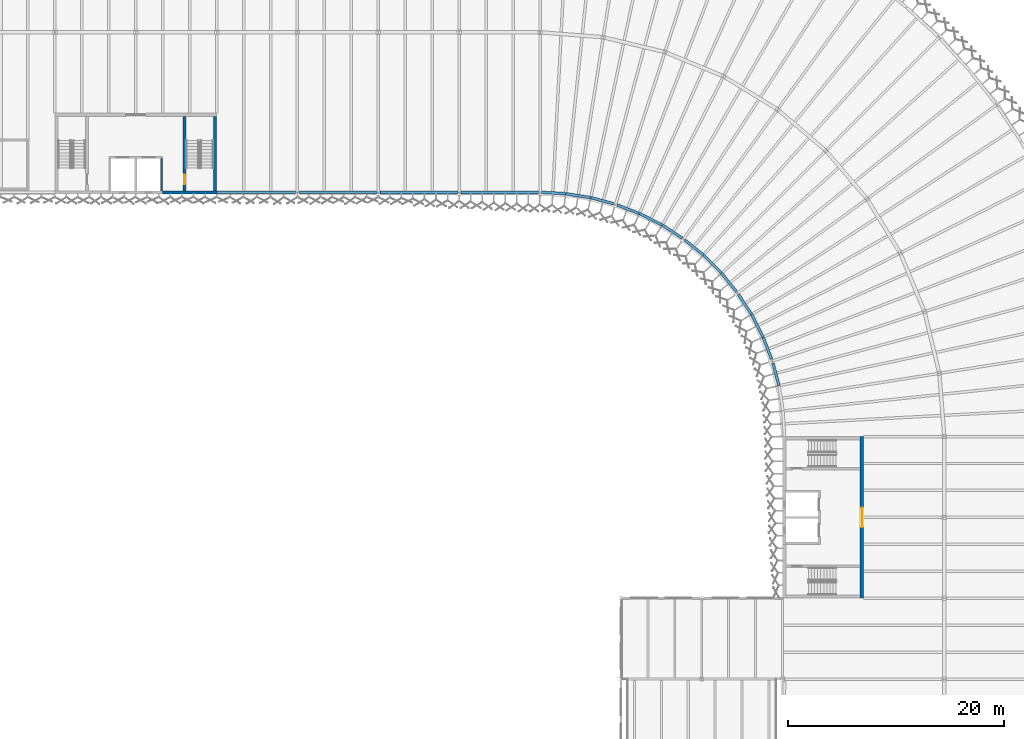
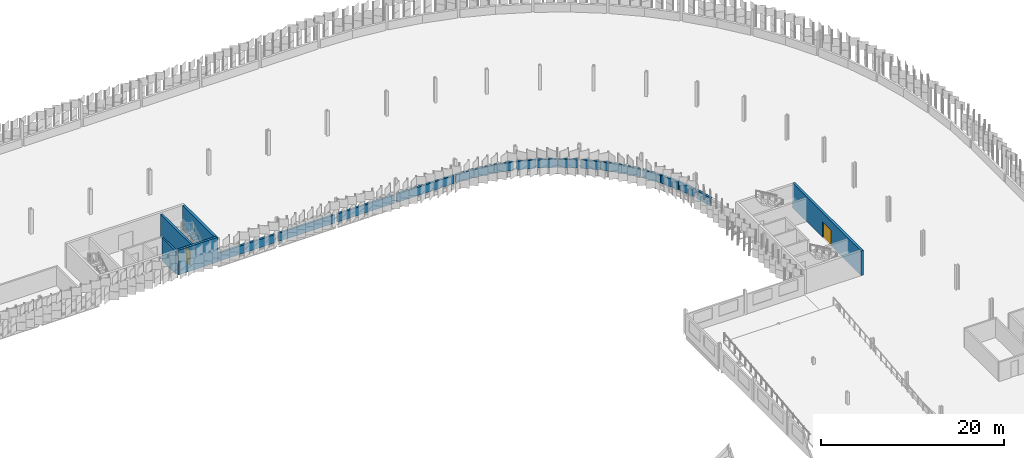
# One storey, part 58 of 198: 22 walls, 2 doors, 2 openings.
"""IFC4 building model written with IfcOpenShell, lengths in metres."""

from ifc_helpers import new_model, si_unit, direction, frame, frame_2d, origin, place, context, subcontext, project, spatial, rectangle, extrude, material, layer, layer_set, type_object, element, fill, save


model = new_model("IFC4")

# Units and contexts
model_context = context("Model", 3, precision=1e-05, world=origin(), true_north=direction((0.0, 1.0)))
body_context = subcontext(model_context, "Body", "Model", "MODEL_VIEW")
ifc_project = project(units=[si_unit("LENGTHUNIT", "METRE"), si_unit("AREAUNIT", "SQUARE_METRE"), si_unit("VOLUMEUNIT", "CUBIC_METRE"), si_unit("PLANEANGLEUNIT", "RADIAN"), si_unit("MASSUNIT", "GRAM", prefix="KILO")], contexts=[model_context])

# Site, building, storey
site_placement = place(None, origin())
site = spatial("IfcSite", under=ifc_project, at=site_placement, CompositionType="ELEMENT")
building_placement = place(site_placement, origin())
building = spatial("IfcBuilding", under=site, at=building_placement, Name="Parallax Yard Mobility Hub", CompositionType="ELEMENT")
storey_placement = place(building_placement, frame((0.0, 0.0, 6.60009765625)))
storey = spatial("IfcBuildingStorey", under=building, at=storey_placement, Name="L02", CompositionType="ELEMENT", Elevation=6.60009765625)

# Walls
ifc_material_1 = material(Name="Concrete fc' 35 MPa", Category="concrete")
ifc_layer_1 = layer(ifc_material_1, 0.300048828125)
ifc_layer_set_1 = layer_set([ifc_layer_1], Name="Concrete fc' 35 MPa core wall 300")
wall_type_1 = type_object("IfcWallType", Name="Concrete fc' 35 MPa core wall 300", PredefinedType="SHEAR", material=ifc_layer_set_1)
wall_1_placement = place(storey_placement, frame((142.5, 112.64990234375, 0.0), z_axis=(0.0, 0.0, 1.0), x_axis=(-1.0, 0.0, 0.0)))
element("IfcWall", 1, at=wall_1_placement, inside=storey, type_object=wall_type_1, Name="Core C-N2 back wall part 1 level L02", PredefinedType="SHEAR", context=body_context, shape_type="SweptSolid", body=[
    extrude(rectangle(XDim=5.0, YDim=0.300048828125, at=frame_2d((2.5, 0.0))), origin(), (0.0, 0.0, 1.0), 3.2998046875),
])
wall_2_placement = place(storey_placement, frame((142.35009765625, 119.699951171875, 0.0), z_axis=(0.0, 0.0, 1.0), x_axis=(0.0, -1.0, 0.0)))
element("IfcWall", 2, at=wall_2_placement, inside=storey, type_object=wall_type_1, Name="Core C-N2 west-side end wall level L02", PredefinedType="SHEAR", context=body_context, shape_type="SweptSolid", body=[
    extrude(rectangle(XDim=6.89990234375, YDim=0.300048828125, at=frame_2d((3.449951171875, 0.0))), origin(), (0.0, 0.0, 1.0), 3.2998046875),
])

# Wall, opening, door
wall_3_placement = place(storey_placement, frame((202.35009765625, 90.0, 0.0), z_axis=(0.0, 0.0, 1.0), x_axis=(0.0, -1.0, 0.0)))
wall_3 = element("IfcWall", 3, at=wall_3_placement, inside=storey, type_object=wall_type_1, Name="Core C-E entry wall level L02", PredefinedType="SHEAR", context=body_context, shape_type="SweptSolid", body=[
    extrude(rectangle(XDim=15.0, YDim=0.300048828125, at=frame_2d((7.5, 0.0))), origin(), (0.0, 0.0, 1.0), 3.2998046875),
])
opening_1_placement = place(wall_3_placement, frame((6.60009765625, 0.0, 0.0)))
opening_1 = element("IfcOpeningElement", 4, at=opening_1_placement, cuts=wall_3, Name="Opening L02-D719", PredefinedType="OPENING", context=body_context, shape_type="SweptSolid", body=[
    extrude(rectangle(XDim=1.800048828125, YDim=2.10009765625, at=frame_2d((0.89990234375, 1.050048828125))), frame((0.0, 0.16015625, 0.0), z_axis=(0.0, -1.0, 0.0), x_axis=(1.0, 0.0, 0.0)), (0.0, 0.0, 1.0), 0.320068359375),
])
ifc_material_2 = material(Name="Hollow metal steel door and frame", Category="steel")
door_type_1 = type_object("IfcDoorType", Name="Core double door 1800 x 2100 FD90", OperationType="NOTDEFINED", PredefinedType="DOOR", material=ifc_material_2)
door_1_placement = place(opening_1_placement, origin())
door_1 = element("IfcDoor", 5, at=door_1_placement, inside=storey, type_object=door_type_1, Name="Lift lobby door L02-D719, core C-E level L02", OperationType="DOUBLE_DOOR_SINGLE_SWING", OverallHeight=2.10009765625, OverallWidth=1.800048828125, PredefinedType="DOOR", context=body_context, shape_type="SweptSolid", body=[
    extrude(rectangle(XDim=1.800048828125, YDim=2.10009765625, at=frame_2d((0.89990234375, 1.050048828125))), frame((0.0, 0.02490234375, 0.0), z_axis=(0.0, -1.0, 0.0), x_axis=(1.0, 0.0, 0.0)), (0.0, 0.0, 1.0), 0.050048828125),
])
fill(opening_1, door_1)

# Wall
ifc_layer_2 = layer(ifc_material_1, 0.199951171875)
ifc_layer_set_2 = layer_set([ifc_layer_2], Name="Concrete fc' 35 MPa internal core wall 200")
wall_type_2 = type_object("IfcWallType", Name="Concrete fc' 35 MPa internal core wall 200", PredefinedType="STANDARD", material=ifc_layer_set_2)
wall_4_placement = place(storey_placement, frame((137.39990234375, 115.800048828125, 0.0), z_axis=(0.0, 0.0, 1.0), x_axis=(0.0, -1.0, 0.0)))
element("IfcWall", 6, at=wall_4_placement, inside=storey, type_object=wall_type_2, Name="Core C-N2 lift wall 1 part 1 level L02", PredefinedType="STANDARD", context=body_context, shape_type="SweptSolid", body=[
    extrude(rectangle(XDim=3.0, YDim=0.199951171875, at=frame_2d((1.5, 0.0))), origin(), (0.0, 0.0, 1.0), 3.099853515625),
])

# Wall, opening, door
ifc_layer_3 = layer(ifc_material_1, 0.25)
ifc_layer_set_3 = layer_set([ifc_layer_3], Name="Concrete fc' 35 MPa stair enclosure wall 250")
wall_type_3 = type_object("IfcWallType", Name="Concrete fc' 35 MPa stair enclosure wall 250", PredefinedType="STANDARD", material=ifc_layer_set_3)
wall_5_placement = place(storey_placement, frame((139.52490234375, 119.699951171875, 0.0), z_axis=(0.0, 0.0, 1.0), x_axis=(0.0, -1.0, 0.0)))
wall_5 = element("IfcWall", 7, at=wall_5_placement, inside=storey, type_object=wall_type_3, Name="Core C-N2 stair 1 partition level L02", PredefinedType="STANDARD", context=body_context, shape_type="SweptSolid", body=[
    extrude(rectangle(XDim=6.89990234375, YDim=0.25, at=frame_2d((3.449951171875, 0.0))), origin(), (0.0, 0.0, 1.0), 3.099853515625),
])
opening_2_placement = place(wall_5_placement, frame((5.39990234375, 0.0, 0.0)))
opening_2 = element("IfcOpeningElement", 8, at=opening_2_placement, cuts=wall_5, Name="Opening L02-D715", PredefinedType="OPENING", context=body_context, shape_type="SweptSolid", body=[
    extrude(rectangle(XDim=0.89990234375, YDim=2.10009765625, at=frame_2d((0.449951171875, 1.050048828125))), frame((0.0, 0.135009765625, 0.0), z_axis=(0.0, -1.0, 0.0), x_axis=(1.0, 0.0, 0.0)), (0.0, 0.0, 1.0), 0.27001953125),
])
door_type_2 = type_object("IfcDoorType", Name="Core door 900 x 2100 FD90", OperationType="NOTDEFINED", PredefinedType="DOOR", material=ifc_material_2)
door_2_placement = place(opening_2_placement, origin())
door_2 = element("IfcDoor", 9, at=door_2_placement, inside=storey, type_object=door_type_2, Name="Stair lobby door L02-D715, core C-N2 level L02", OperationType="SINGLE_SWING_LEFT", OverallHeight=2.10009765625, OverallWidth=0.89990234375, PredefinedType="DOOR", context=body_context, shape_type="SweptSolid", body=[
    extrude(rectangle(XDim=0.89990234375, YDim=2.10009765625, at=frame_2d((0.449951171875, 1.050048828125))), frame((0.0, 0.02490234375, 0.0), z_axis=(0.0, -1.0, 0.0), x_axis=(1.0, 0.0, 0.0)), (0.0, 0.0, 1.0), 0.050048828125),
])
fill(opening_2, door_2)

# Walls
ifc_layer_4 = layer(ifc_material_1, 0.25)
ifc_layer_set_4 = layer_set([ifc_layer_4], Name="Deck-edge barrier wall, Concrete fc' 35 MPa precast, 250")
wall_type_4 = type_object("IfcWallType", Name="Deck-edge barrier wall, Concrete fc' 35 MPa precast, 250", PredefinedType="SOLIDWALL", material=ifc_layer_set_4)
wall_6_placement = place(storey_placement, frame((142.5048828125, 112.672119140625, 0.0), z_axis=(0.0, 0.0, 1.0), x_axis=(1.0, 0.0, 0.0)))
element("IfcWall", 10, at=wall_6_placement, inside=storey, type_object=wall_type_4, Name="Deck-edge barrier wall bay 14 level L02", PredefinedType="SOLIDWALL", context=body_context, shape_type="SweptSolid", body=[
    extrude(rectangle(XDim=7.3095703125, YDim=0.25, at=frame_2d((3.65478515625, 0.0))), origin(), (0.0, 0.0, 1.0), 1.099853515625),
])
wall_7_placement = place(storey_placement, frame((150.185546875, 112.672119140625, 0.0), z_axis=(0.0, 0.0, 1.0), x_axis=(0.999993224794, -0.003681082119, 0.0)))
element("IfcWall", 11, at=wall_7_placement, inside=storey, type_object=wall_type_4, Name="Deck-edge barrier wall bay 15 level L02", PredefinedType="SOLIDWALL", context=body_context, shape_type="SweptSolid", body=[
    extrude(rectangle(XDim=7.162841796875, YDim=0.25, at=frame_2d((3.58154296875, 0.0))), origin(), (0.0, 0.0, 1.0), 1.099853515625),
])
for number, where, z_axis, x_axis, name in (
    (12, (157.651611328125, 112.645751953125, 0.0), (0.0, 0.0, 1.0), (1.0, 0.0, 0.0), "Deck-edge barrier wall bay 16 level L02"),
    (13, (165.151611328125, 112.645751953125, 0.0), (0.0, 0.0, 1.0), (1.0, 0.0, 0.0), "Deck-edge barrier wall bay 17 level L02"),
):
    element("IfcWall", number, at=place(storey_placement, frame(where, z_axis=z_axis, x_axis=x_axis)), inside=storey, type_object=wall_type_4, Name=name, PredefinedType="SOLIDWALL", context=body_context, shape_type="SweptSolid", body=[
        extrude(rectangle(XDim=7.19677734375, YDim=0.25, at=frame_2d((3.598388671875, 0.0))), origin(), (0.0, 0.0, 1.0), 1.099853515625),
    ])
wall_8_placement = place(storey_placement, frame((172.656005859375, 112.65478515625, 0.0), z_axis=(0.0, 0.0, 1.0), x_axis=(0.998364643885, -0.057166754681, 0.0)))
element("IfcWall", 14, at=wall_8_placement, inside=storey, type_object=wall_type_4, Name="Deck-edge barrier wall bay 18-1 level L02", PredefinedType="SOLIDWALL", context=body_context, shape_type="SweptSolid", body=[
    extrude(rectangle(XDim=2.199462890625, YDim=0.25, at=frame_2d((1.099609375, 0.0))), origin(), (0.0, 0.0, 1.0), 1.099853515625),
])
wall_9_placement = place(storey_placement, frame((174.884033203125, 112.525390625, 0.0), z_axis=(0.0, 0.0, 1.0), x_axis=(0.987958694972, -0.154717862668, 0.0)))
element("IfcWall", 15, at=wall_9_placement, inside=storey, type_object=wall_type_4, Name="Deck-edge barrier wall bay 18-2 level L02", PredefinedType="SOLIDWALL", context=body_context, shape_type="SweptSolid", body=[
    extrude(rectangle(XDim=2.3369140625, YDim=0.25, at=frame_2d((1.16845703125, 0.0))), origin(), (0.0, 0.0, 1.0), 1.099853515625),
])
wall_10_placement = place(storey_placement, frame((177.226806640625, 112.156494140625, 0.0), z_axis=(0.0, 0.0, 1.0), x_axis=(0.965933668704, -0.258789775039, 0.0)))
element("IfcWall", 16, at=wall_10_placement, inside=storey, type_object=wall_type_4, Name="Deck-edge barrier wall bay 18-3 level L02", PredefinedType="SOLIDWALL", context=body_context, shape_type="SweptSolid", body=[
    extrude(rectangle(XDim=2.197265625, YDim=0.25, at=frame_2d((1.0986328125, 0.0))), origin(), (0.0, 0.0, 1.0), 1.099853515625),
])
wall_11_placement = place(storey_placement, frame((179.651611328125, 111.48388671875, 0.0), z_axis=(0.0, 0.0, 1.0), x_axis=(0.933015016795, -0.359837433343, 0.0)))
element("IfcWall", 17, at=wall_11_placement, inside=storey, type_object=wall_type_4, Name="Deck-edge barrier wall bay 19-1 level L02", PredefinedType="SOLIDWALL", context=body_context, shape_type="SweptSolid", body=[
    extrude(rectangle(XDim=2.19140625, YDim=0.25, at=frame_2d((1.095703125, 0.0))), origin(), (0.0, 0.0, 1.0), 1.099853515625),
])
wall_12_placement = place(storey_placement, frame((181.725341796875, 110.682373046875, 0.0), z_axis=(0.0, 0.0, 1.0), x_axis=(0.89321234847, -0.449635074856, 0.0)))
element("IfcWall", 18, at=wall_12_placement, inside=storey, type_object=wall_type_4, Name="Deck-edge barrier wall bay 19-2 level L02", PredefinedType="SOLIDWALL", context=body_context, shape_type="SweptSolid", body=[
    extrude(rectangle(XDim=2.33740234375, YDim=0.25, at=frame_2d((1.168701171875, 0.0))), origin(), (0.0, 0.0, 1.0), 1.099853515625),
])
wall_13_placement = place(storey_placement, frame((183.844970703125, 109.61328125, 0.0), z_axis=(0.0, 0.0, 1.0), x_axis=(0.835931493831, -0.548833797813, 0.0)))
element("IfcWall", 19, at=wall_13_placement, inside=storey, type_object=wall_type_4, Name="Deck-edge barrier wall bay 19-3 level L02", PredefinedType="SOLIDWALL", context=body_context, shape_type="SweptSolid", body=[
    extrude(rectangle(XDim=2.19482421875, YDim=0.25, at=frame_2d((1.097412109375, 0.0))), origin(), (0.0, 0.0, 1.0), 1.099853515625),
])
wall_14_placement = place(storey_placement, frame((185.939697265625, 108.22509765625, 0.0), z_axis=(0.0, 0.0, 1.0), x_axis=(0.7781901536, -0.628028729311, 0.0)))
element("IfcWall", 20, at=wall_14_placement, inside=storey, type_object=wall_type_4, Name="Deck-edge barrier wall bay 20-1 level L02", PredefinedType="SOLIDWALL", context=body_context, shape_type="SweptSolid", body=[
    extrude(rectangle(XDim=2.193359375, YDim=0.25, at=frame_2d((1.0966796875, 0.0))), origin(), (0.0, 0.0, 1.0), 1.099853515625),
])
wall_15_placement = place(storey_placement, frame((187.672119140625, 106.824462890625, 0.0), z_axis=(0.0, 0.0, 1.0), x_axis=(0.707106781187, -0.707106781187, 0.0)))
element("IfcWall", 21, at=wall_15_placement, inside=storey, type_object=wall_type_4, Name="Deck-edge barrier wall bay 20-2 level L02", PredefinedType="SOLIDWALL", context=body_context, shape_type="SweptSolid", body=[
    extrude(rectangle(XDim=2.337158203125, YDim=0.25, at=frame_2d((1.16845703125, 0.0))), origin(), (0.0, 0.0, 1.0), 1.099853515625),
])
wall_16_placement = place(storey_placement, frame((189.347900390625, 105.14599609375, 0.0), z_axis=(0.0, 0.0, 1.0), x_axis=(0.628070132688, -0.778156737698, 0.0)))
element("IfcWall", 22, at=wall_16_placement, inside=storey, type_object=wall_type_4, Name="Deck-edge barrier wall bay 20-3 level L02", PredefinedType="SOLIDWALL", context=body_context, shape_type="SweptSolid", body=[
    extrude(rectangle(XDim=2.192626953125, YDim=0.25, at=frame_2d((1.09619140625, 0.0))), origin(), (0.0, 0.0, 1.0), 1.099853515625),
])
wall_17_placement = place(storey_placement, frame((190.90869140625, 103.1796875, 0.0), z_axis=(0.0, 0.0, 1.0), x_axis=(0.550508982107, -0.834829240395, 0.0)))
element("IfcWall", 23, at=wall_17_placement, inside=storey, type_object=wall_type_4, Name="Deck-edge barrier wall bay 21-1 level L02", PredefinedType="SOLIDWALL", context=body_context, shape_type="SweptSolid", body=[
    extrude(rectangle(XDim=2.19482421875, YDim=0.25, at=frame_2d((1.097412109375, 0.0))), origin(), (0.0, 0.0, 1.0), 1.099853515625),
])
wall_18_placement = place(storey_placement, frame((192.135498046875, 101.315185546875, 0.0), z_axis=(0.0, 0.0, 1.0), x_axis=(0.451262005385, -0.892391507409, 0.0)))
element("IfcWall", 24, at=wall_18_placement, inside=storey, type_object=wall_type_4, Name="Deck-edge barrier wall bay 21-2 level L02", PredefinedType="SOLIDWALL", context=body_context, shape_type="SweptSolid", body=[
    extrude(rectangle(XDim=2.337158203125, YDim=0.25, at=frame_2d((1.16845703125, 0.0))), origin(), (0.0, 0.0, 1.0), 1.099853515625),
])
wall_19_placement = place(storey_placement, frame((193.20361328125, 99.19970703125, 0.0), z_axis=(0.0, 0.0, 1.0), x_axis=(0.361730647977, -0.932282649369, 0.0)))
element("IfcWall", 25, at=wall_19_placement, inside=storey, type_object=wall_type_4, Name="Deck-edge barrier wall bay 21-3 level L02", PredefinedType="SOLIDWALL", context=body_context, shape_type="SweptSolid", body=[
    extrude(rectangle(XDim=2.156982421875, YDim=0.25, at=frame_2d((1.07861328125, 0.0))), origin(), (0.0, 0.0, 1.0), 1.099853515625),
])
wall_20_placement = place(storey_placement, frame((194.104736328125, 96.819091796875, 0.0), z_axis=(0.0, 0.0, 1.0), x_axis=(0.258843338432, -0.965919316584, 0.0)))
element("IfcWall", 26, at=wall_20_placement, inside=storey, type_object=wall_type_4, Name="Deck-edge barrier wall bay 22-1 level L02", PredefinedType="SOLIDWALL", context=body_context, shape_type="SweptSolid", body=[
    extrude(rectangle(XDim=2.161865234375, YDim=0.25, at=frame_2d((1.0810546875, 0.0))), origin(), (0.0, 0.0, 1.0), 1.099853515625),
])

save(model, "model.ifc")
